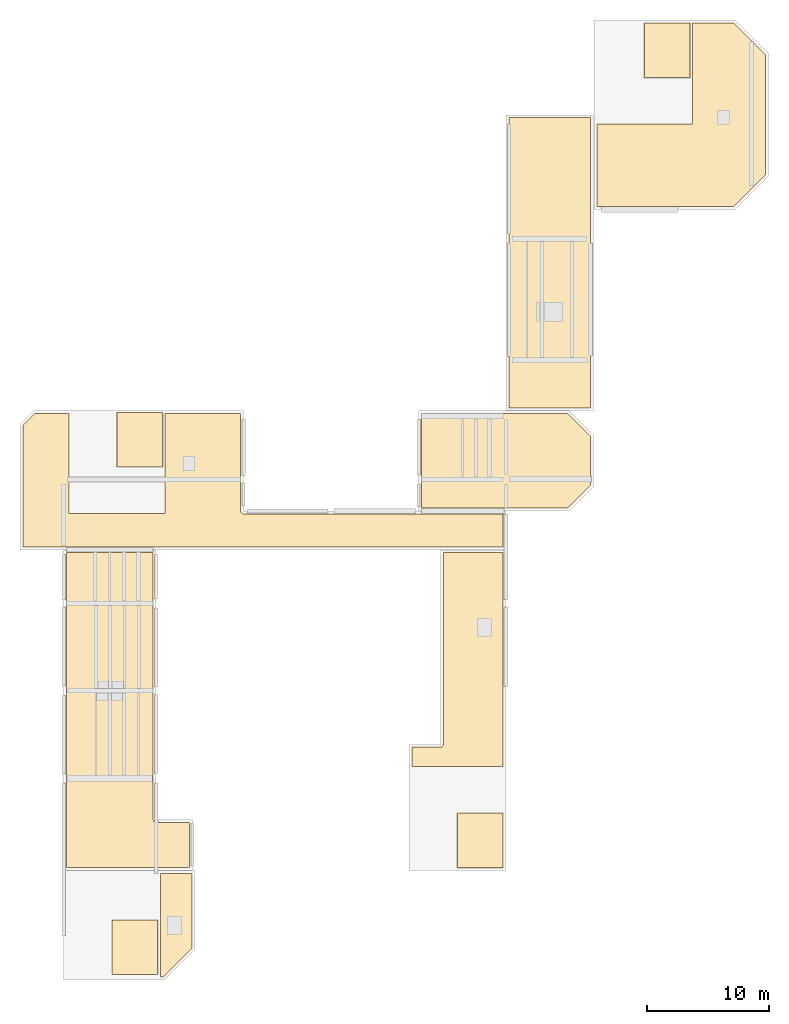
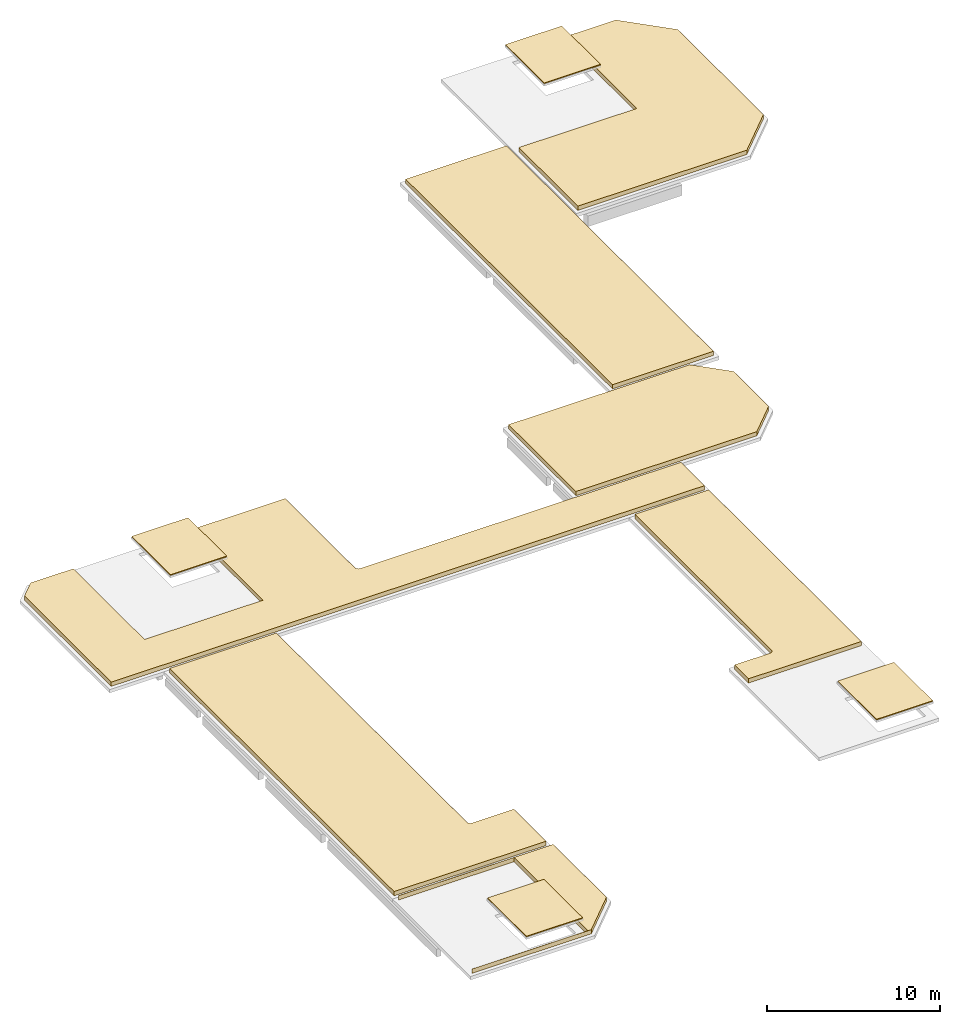
# One storey, part 3 of 3: 11 coverings.
"""IFC4 building model written with IfcOpenShell, lengths in metres."""

from ifc_helpers import new_model, si_unit, direction, frame, origin, place, context, subcontext, project, spatial, polyline, outline, extrude, material, layer, layer_set, type_object, element, save


model = new_model("IFC4")

# Units and contexts
model_context = context("Model", 3, precision=1e-05, world=origin(), true_north=direction((0.0, 1.0)))
body_context = subcontext(model_context, "Body", "Model", "MODEL_VIEW")
ifc_project = project(units=[si_unit("LENGTHUNIT", "METRE"), si_unit("AREAUNIT", "SQUARE_METRE"), si_unit("VOLUMEUNIT", "CUBIC_METRE"), si_unit("PLANEANGLEUNIT", "RADIAN"), si_unit("MASSUNIT", "GRAM", prefix="KILO")], contexts=[model_context])

# Site, building, storey
site_placement = place(None, origin())
site = spatial("IfcSite", under=ifc_project, at=site_placement, CompositionType="ELEMENT")
building_placement = place(site_placement, origin())
building = spatial("IfcBuilding", under=site, at=building_placement, Name="Kelanivale Promenade Academy", CompositionType="ELEMENT")
storey_placement = place(building_placement, frame((0.0, 0.0, 24.199951171875)))
storey = spatial("IfcBuildingStorey", under=building, at=storey_placement, Name="RF", CompositionType="ELEMENT", Elevation=24.199951171875)

# Coverings
ifc_material_1 = material(Name="Standing-seam zinc-aluminium insulated hall roofing 60 mm", Category="aluminium")
ifc_layer_1 = layer(ifc_material_1, 0.06005859375)
ifc_layer_set_1 = layer_set([ifc_layer_1], Name="Standing-seam zinc-aluminium insulated hall roofing 60 mm")
covering_type_1 = type_object("IfcCoveringType", Name="COV-RFG1 Standing-seam zinc-aluminium insulat", PredefinedType="ROOFING", material=ifc_layer_set_1)
covering_1_placement = place(storey_placement, frame((0.0, 0.0, 1.10009765625)))
element("IfcCovering", 1, at=covering_1_placement, inside=storey, type_object=covering_type_1, Name="CORE-1 overrun standing-seam roof membrane", PredefinedType="ROOFING", context=body_context, shape_type="SweptSolid", body=[
    extrude(outline(polyline([(83.18505859375, 33.465087890625), (86.93505859375, 33.465087890625), (86.93505859375, 37.925048828125), (83.18505859375, 37.925048828125), (83.18505859375, 33.465087890625)])), origin(), (0.0, 0.0, 1.0), 0.06005859375),
])
covering_2_placement = place(storey_placement, frame((0.0, 0.0, 1.10009765625)))
element("IfcCovering", 2, at=covering_2_placement, inside=storey, type_object=covering_type_1, Name="CORE-2 overrun standing-seam roof membrane", PredefinedType="ROOFING", context=body_context, shape_type="SweptSolid", body=[
    extrude(outline(polyline([(83.5849609375, 75.22509765625), (87.3349609375, 75.22509765625), (87.3349609375, 79.68505859375), (83.5849609375, 79.68505859375), (83.5849609375, 75.22509765625)])), origin(), (0.0, 0.0, 1.0), 0.06005859375),
])
covering_3_placement = place(storey_placement, frame((0.0, 0.0, 1.10009765625)))
element("IfcCovering", 3, at=covering_3_placement, inside=storey, type_object=covering_type_1, Name="CORE-3 overrun standing-seam roof membrane", PredefinedType="ROOFING", context=body_context, shape_type="SweptSolid", body=[
    extrude(outline(polyline([(111.5849609375, 42.264892578125), (115.3349609375, 42.264892578125), (115.3349609375, 46.72509765625), (111.5849609375, 46.72509765625), (111.5849609375, 42.264892578125)])), origin(), (0.0, 0.0, 1.0), 0.06005859375),
])
covering_4_placement = place(storey_placement, frame((0.0, 0.0, 1.10009765625)))
element("IfcCovering", 4, at=covering_4_placement, inside=storey, type_object=covering_type_1, Name="CORE-5 overrun standing-seam roof membrane", PredefinedType="ROOFING", context=body_context, shape_type="SweptSolid", body=[
    extrude(outline(polyline([(126.985107421875, 107.27490234375), (130.735107421875, 107.27490234375), (130.735107421875, 111.735107421875), (126.985107421875, 111.735107421875), (126.985107421875, 107.27490234375)])), origin(), (0.0, 0.0, 1.0), 0.06005859375),
])
ifc_material_2 = material(Name="Extensive tropical planted green-roof substrate 300 mm", Category="masonry")
ifc_layer_2 = layer(ifc_material_2, 0.300048828125)
ifc_layer_set_2 = layer_set([ifc_layer_2], Name="Extensive tropical planted green-roof substrate 300 mm")
covering_type_2 = type_object("IfcCoveringType", Name="COV-RFG2 Extensive tropical planted green-roo", PredefinedType="ROOFING", material=ifc_layer_set_2)
covering_5_placement = place(storey_placement, origin())
element("IfcCovering", 5, at=covering_5_placement, inside=storey, type_object=covering_type_2, Name="RF planted green-roof substrate", PredefinedType="ROOFING", context=body_context, shape_type="SweptSolid", body=[
    extrude(outline(polyline([(87.14990234375, 41.75), (87.14990234375, 33.25), (79.43994140625, 33.25), (79.43994140625, 33.239990234375), (87.381103515625, 33.239990234375), (89.760009765625, 35.618896484375), (89.760009765625, 41.760009765625), (79.43994140625, 41.760009765625), (79.43994140625, 41.75), (87.14990234375, 41.75)])), origin(), (0.0, 0.0, 1.0), 0.300048828125),
])
covering_6_placement = place(storey_placement, origin())
element("IfcCovering", 6, at=covering_6_placement, inside=storey, type_object=covering_type_2, Name="RF planted green-roof substrate", PredefinedType="ROOFING", context=body_context, shape_type="SweptSolid", body=[
    extrude(outline(polyline([(86.56005859375, 46.199951171875), (86.56005859375, 68.159912109375), (79.43994140625, 68.159912109375), (79.43994140625, 42.239990234375), (89.56005859375, 42.239990234375), (89.56005859375, 45.9599609375), (86.800048828125, 45.9599609375), (86.77587890625, 45.9609375), (86.7529296875, 45.965087890625), (86.72998046875, 45.969970703125), (86.7080078125, 45.97802734375), (86.68701171875, 45.988037109375), (86.6669921875, 46.0), (86.64794921875, 46.013916015625), (86.6298828125, 46.030029296875), (86.614013671875, 46.048095703125), (86.60009765625, 46.06689453125), (86.587890625, 46.0869140625), (86.577880859375, 46.10791015625), (86.570068359375, 46.1298828125), (86.56494140625, 46.153076171875), (86.56103515625, 46.176025390625), (86.56005859375, 46.199951171875)])), origin(), (0.0, 0.0, 1.0), 0.300048828125),
])
covering_7_placement = place(storey_placement, origin())
element("IfcCovering", 7, at=covering_7_placement, inside=storey, type_object=covering_type_2, Name="RF planted green-roof substrate", PredefinedType="ROOFING", context=body_context, shape_type="SweptSolid", body=[
    extrude(outline(polyline([(110.22412109375, 52.160888671875), (110.199951171875, 52.159912109375), (107.840087890625, 52.159912109375), (107.840087890625, 50.550048828125), (115.360107421875, 50.550048828125), (115.360107421875, 68.159912109375), (110.43994140625, 68.159912109375), (110.43994140625, 52.39990234375), (110.43896484375, 52.3759765625), (110.43505859375, 52.35302734375), (110.429931640625, 52.330078125), (110.422119140625, 52.30810546875), (110.412109375, 52.287109375), (110.39990234375, 52.26708984375), (110.385986328125, 52.248046875), (110.3701171875, 52.22998046875), (110.35205078125, 52.214111328125), (110.3330078125, 52.199951171875), (110.31298828125, 52.18798828125), (110.2919921875, 52.177978515625), (110.27001953125, 52.169921875), (110.2470703125, 52.1650390625), (110.22412109375, 52.160888671875)])), origin(), (0.0, 0.0, 1.0), 0.300048828125),
])
covering_8_placement = place(storey_placement, origin())
element("IfcCovering", 8, at=covering_8_placement, inside=storey, type_object=covering_type_2, Name="RF planted green-roof substrate", PredefinedType="ROOFING", context=body_context, shape_type="SweptSolid", body=[
    extrude(outline(polyline([(79.64990234375, 79.610107421875), (76.799072265625, 79.610107421875), (75.840087890625, 78.65087890625), (75.840087890625, 68.639892578125), (115.360107421875, 68.639892578125), (115.360107421875, 71.360107421875), (94.0, 71.360107421875), (93.97607421875, 71.361083984375), (93.952880859375, 71.364990234375), (93.929931640625, 71.3701171875), (93.907958984375, 71.3779296875), (93.886962890625, 71.387939453125), (93.866943359375, 71.39990234375), (93.847900390625, 71.4140625), (93.830078125, 71.429931640625), (93.81396484375, 71.447998046875), (93.800048828125, 71.467041015625), (93.7880859375, 71.487060546875), (93.778076171875, 71.508056640625), (93.77001953125, 71.530029296875), (93.764892578125, 71.552978515625), (93.760986328125, 71.575927734375), (93.760009765625, 71.60009765625), (93.760009765625, 79.610107421875), (87.550048828125, 79.610107421875), (87.550048828125, 71.39990234375), (79.64990234375, 71.39990234375), (79.64990234375, 79.610107421875)])), origin(), (0.0, 0.0, 1.0), 0.300048828125),
])
covering_9_placement = place(storey_placement, origin())
element("IfcCovering", 9, at=covering_9_placement, inside=storey, type_object=covering_type_2, Name="RF planted green-roof substrate", PredefinedType="ROOFING", context=body_context, shape_type="SweptSolid", body=[
    extrude(outline(polyline([(122.56005859375, 77.740966796875), (120.69091796875, 79.610107421875), (108.639892578125, 79.610107421875), (108.639892578125, 71.840087890625), (120.69091796875, 71.840087890625), (122.56005859375, 73.708984375), (122.56005859375, 77.740966796875)])), origin(), (0.0, 0.0, 1.0), 0.300048828125),
])
covering_10_placement = place(storey_placement, origin())
element("IfcCovering", 10, at=covering_10_placement, inside=storey, type_object=covering_type_2, Name="RF planted green-roof substrate", PredefinedType="ROOFING", context=body_context, shape_type="SweptSolid", body=[
    extrude(outline(polyline([(122.56005859375, 80.090087890625), (122.56005859375, 103.9599609375), (115.840087890625, 103.9599609375), (115.840087890625, 80.090087890625), (122.56005859375, 80.090087890625)])), origin(), (0.0, 0.0, 1.0), 0.300048828125),
])
covering_11_placement = place(storey_placement, origin())
element("IfcCovering", 11, at=covering_11_placement, inside=storey, type_object=covering_type_2, Name="RF planted green-roof substrate", PredefinedType="ROOFING", context=body_context, shape_type="SweptSolid", body=[
    extrude(outline(polyline([(136.9599609375, 109.14208984375), (134.342041015625, 111.760009765625), (130.949951171875, 111.760009765625), (130.949951171875, 103.449951171875), (123.090087890625, 103.449951171875), (123.090087890625, 96.639892578125), (134.342041015625, 96.639892578125), (136.9599609375, 99.258056640625), (136.9599609375, 109.14208984375)])), origin(), (0.0, 0.0, 1.0), 0.300048828125),
])

save(model, "model.ifc")
